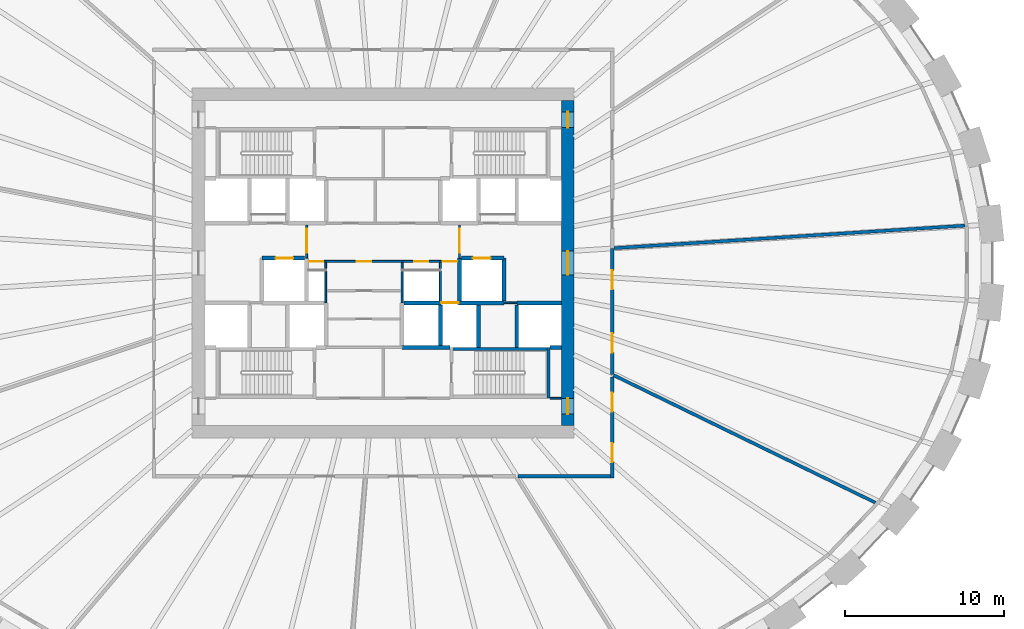
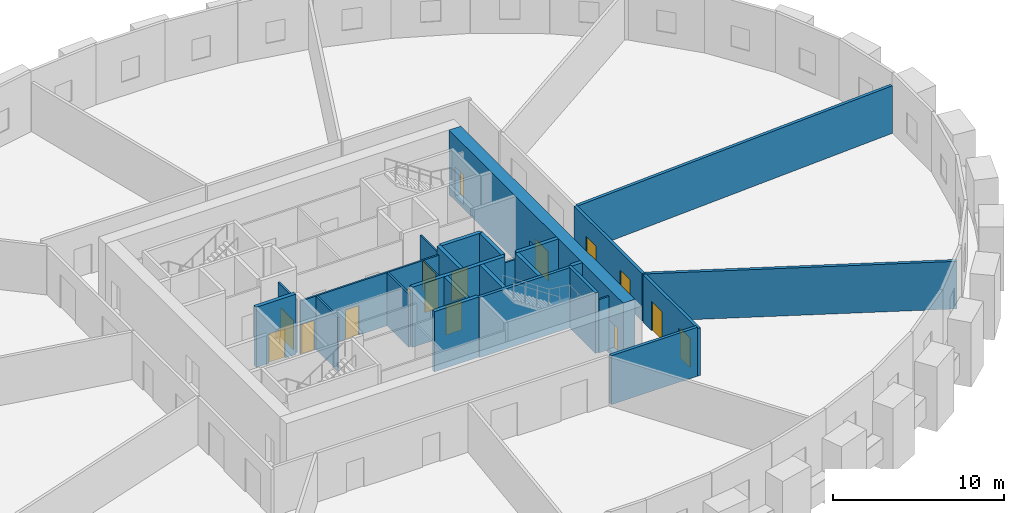
# One storey, part 5 of 9: 27 walls, 16 doors, 16 openings.
"""IFC4 building model written with IfcOpenShell, lengths in metres."""

from ifc_helpers import new_model, si_unit, direction, frame, frame_2d, origin, place, context, subcontext, project, spatial, rectangle, extrude, source, transform, mapped, material, layer, layer_set, type_object, element, fill, save


model = new_model("IFC4")

# Units and contexts
model_context = context("Model", 3, precision=1e-05, world=origin(), true_north=direction((0.0, 1.0)))
body_context = subcontext(model_context, "Body", "Model", "MODEL_VIEW")
ifc_project = project(units=[si_unit("LENGTHUNIT", "METRE"), si_unit("AREAUNIT", "SQUARE_METRE"), si_unit("VOLUMEUNIT", "CUBIC_METRE"), si_unit("PLANEANGLEUNIT", "RADIAN"), si_unit("MASSUNIT", "GRAM", prefix="KILO")], contexts=[model_context])

# Site, building, storey
site_placement = place(None, origin())
site = spatial("IfcSite", under=ifc_project, at=site_placement, CompositionType="ELEMENT")
building_placement = place(site_placement, origin())
building = spatial("IfcBuilding", under=site, at=building_placement, Name="Embergate Tower", CompositionType="ELEMENT")
storey_placement = place(building_placement, frame((0.0, 0.0, 147.60009765625)))
storey = spatial("IfcBuildingStorey", under=building, at=storey_placement, Name="L32", CompositionType="ELEMENT", Elevation=147.60009765625)

# Wall, openings, doors
ifc_material_1 = material(Name="Concrete C70", Category="concrete")
ifc_layer_1 = layer(ifc_material_1, 0.800048828125)
ifc_layer_set_1 = layer_set([ifc_layer_1], Name="Concrete C70")
wall_type_1 = type_object("IfcWallType", Name="Core outer wall C70 800", PredefinedType="SHEAR", material=ifc_layer_set_1)
shared_shape_1 = source(origin(), body_context, "Body", "SweptSolid", [
    extrude(rectangle(XDim=20.39990234375, YDim=0.800048828125, at=frame_2d((10.199951171875, 0.0))), origin(), (0.0, 0.0, 1.0), 4.599853515625),
])
wall_1_placement = place(storey_placement, frame((11.60009765625, -10.199951171875, -0.300048828125), z_axis=(0.0, 0.0, 1.0), x_axis=(0.0, 1.0, 0.0)))
wall_1 = element("IfcWall", 1, at=wall_1_placement, inside=storey, type_object=wall_type_1, Name="CW-L32-E", PredefinedType="SHEAR", context=body_context, shape_type="MappedRepresentation", body=[
    mapped(shared_shape_1, transform((0.0, 0.0, 0.0))),
])
shared_shape_2 = source(origin(), body_context, "Body", "SweptSolid", [
    extrude(rectangle(XDim=1.0, YDim=2.10009765625, at=frame_2d((0.5, 1.050048828125))), frame((0.0, 0.409912109375, 0.0), z_axis=(0.0, -1.0, 0.0), x_axis=(1.0, 0.0, 0.0)), (0.0, 0.0, 1.0), 0.820068359375),
])
opening_1_placement = place(wall_1_placement, frame((18.699951171875, 0.0, 0.300048828125)))
opening_1 = element("IfcOpeningElement", 2, at=opening_1_placement, cuts=wall_1, Name="Opening IF-1d", PredefinedType="OPENING", context=body_context, shape_type="MappedRepresentation", body=[
    mapped(shared_shape_2, transform((0.0, 0.0, 0.0))),
])
opening_2_placement = place(wall_1_placement, frame((0.699951171875, 0.0, 0.300048828125)))
opening_2 = element("IfcOpeningElement", 3, at=opening_2_placement, cuts=wall_1, Name="Opening IF-1d", PredefinedType="OPENING", context=body_context, shape_type="MappedRepresentation", body=[
    mapped(shared_shape_2, transform((0.0, 0.0, 0.0))),
])
shared_shape_3 = source(origin(), body_context, "Body", "SweptSolid", [
    extrude(rectangle(XDim=1.5, YDim=2.10009765625, at=frame_2d((0.75, 1.050048828125))), frame((0.0, 0.409912109375, 0.0), z_axis=(0.0, -1.0, 0.0), x_axis=(1.0, 0.0, 0.0)), (0.0, 0.0, 1.0), 0.820068359375),
])
opening_3_placement = place(wall_1_placement, frame((9.449951171875, 0.0, 0.300048828125)))
opening_3 = element("IfcOpeningElement", 4, at=opening_3_placement, cuts=wall_1, Name="Opening IF-3", PredefinedType="OPENING", context=body_context, shape_type="MappedRepresentation", body=[
    mapped(shared_shape_3, transform((0.0, 0.0, 0.0))),
])
ifc_material_2 = material(Name="Lobby fire door pair 1500")
door_type_1 = type_object("IfcDoorType", Name="Lobby fire door pair 1500", OperationType="DOUBLE_DOOR_SINGLE_SWING", PredefinedType="DOOR", material=ifc_material_2)
shared_shape_4 = source(origin(), body_context, "Body", "SweptSolid", [
    extrude(rectangle(XDim=1.5, YDim=2.10009765625, at=frame_2d((0.75, 1.050048828125))), frame((0.0, 0.02490234375, 0.0), z_axis=(0.0, -1.0, 0.0), x_axis=(1.0, 0.0, 0.0)), (0.0, 0.0, 1.0), 0.050048828125),
])
door_1_placement = place(opening_3_placement, origin())
door_1 = element("IfcDoor", 5, at=door_1_placement, inside=storey, type_object=door_type_1, Name="IF-3 door", OperationType="DOUBLE_DOOR_SINGLE_SWING", OverallHeight=2.10009765625, OverallWidth=1.5, PredefinedType="DOOR", context=body_context, shape_type="MappedRepresentation", body=[
    mapped(shared_shape_4, transform((0.0, 0.0, 0.0))),
])
fill(opening_3, door_1)
ifc_material_3 = material(Name="Escape fire door 1000")
door_type_2 = type_object("IfcDoorType", Name="Escape fire door 1000", OperationType="SINGLE_SWING_LEFT", PredefinedType="DOOR", material=ifc_material_3)
shared_shape_5 = source(origin(), body_context, "Body", "SweptSolid", [
    extrude(rectangle(XDim=1.0, YDim=2.10009765625, at=frame_2d((0.5, 1.050048828125))), frame((0.0, 0.02490234375, 0.0), z_axis=(0.0, -1.0, 0.0), x_axis=(1.0, 0.0, 0.0)), (0.0, 0.0, 1.0), 0.050048828125),
])
door_2_placement = place(opening_1_placement, origin())
door_2 = element("IfcDoor", 6, at=door_2_placement, inside=storey, type_object=door_type_2, Name="IF-1 door", OperationType="SINGLE_SWING_RIGHT", OverallHeight=2.10009765625, OverallWidth=1.0, PredefinedType="DOOR", context=body_context, shape_type="MappedRepresentation", body=[
    mapped(shared_shape_5, transform((0.0, 0.0, 0.0))),
])
fill(opening_1, door_2)
door_3_placement = place(opening_2_placement, origin())
door_3 = element("IfcDoor", 7, at=door_3_placement, inside=storey, type_object=door_type_2, Name="IF-1 door", OperationType="SINGLE_SWING_LEFT", OverallHeight=2.10009765625, OverallWidth=1.0, PredefinedType="DOOR", context=body_context, shape_type="MappedRepresentation", body=[
    mapped(shared_shape_5, transform((0.0, 0.0, 0.0))),
])
fill(opening_2, door_3)

# Wall
ifc_material_4 = material(Name="Concrete C50", Category="concrete")
ifc_layer_2 = layer(ifc_material_4, 0.25)
ifc_layer_set_2 = layer_set([ifc_layer_2], Name="Concrete C50")
wall_type_2 = type_object("IfcWallType", Name="Hoistway wall reinforced concrete 250", PredefinedType="SHEAR", material=ifc_layer_set_2)
shared_shape_6 = source(origin(), body_context, "Body", "SweptSolid", [
    extrude(rectangle(XDim=2.675048828125, YDim=0.25, at=frame_2d((1.33740234375, 0.0))), origin(), (0.0, 0.0, 1.0), 4.2998046875),
])
wall_2_placement = place(storey_placement, frame((4.800048828125, -2.375, 0.0), z_axis=(0.0, 0.0, 1.0), x_axis=(0.0, 1.0, 0.0)))
element("IfcWall", 8, at=wall_2_placement, inside=storey, type_object=wall_type_2, Name="HW-1 wall", PredefinedType="SHEAR", context=body_context, shape_type="MappedRepresentation", body=[
    mapped(shared_shape_6, transform((0.0, 0.0, 0.0))),
])

# Wall, opening, door
wall_3_placement = place(storey_placement, frame((-4.925048828125, 0.300048828125, 0.0), z_axis=(0.0, 0.0, 1.0), x_axis=(-1.0, 0.0, 0.0)))
wall_3 = element("IfcWall", 9, at=wall_3_placement, inside=storey, type_object=wall_type_2, Name="HW-1 wall", PredefinedType="SHEAR", context=body_context, shape_type="MappedRepresentation", body=[
    mapped(shared_shape_6, transform((0.0, 0.0, 0.0))),
])
shared_shape_7 = source(origin(), body_context, "Body", "SweptSolid", [
    extrude(rectangle(XDim=1.10009765625, YDim=2.10009765625, at=frame_2d((0.550048828125, 1.050048828125))), frame((0.0, 0.135009765625, 0.0), z_axis=(0.0, -1.0, 0.0), x_axis=(1.0, 0.0, 0.0)), (0.0, 0.0, 1.0), 0.27001953125),
])
opening_4_placement = place(wall_3_placement, frame((0.72509765625, 0.0, 0.0)))
opening_4 = element("IfcOpeningElement", 10, at=opening_4_placement, cuts=wall_3, Name="Opening LD", PredefinedType="OPENING", context=body_context, shape_type="MappedRepresentation", body=[
    mapped(shared_shape_7, transform((0.0, 0.0, 0.0))),
])
ifc_material_5 = material(Name="Landing door sliding 1100")
door_type_3 = type_object("IfcDoorType", Name="Landing door sliding 1100", OperationType="SLIDING_TO_LEFT", PredefinedType="DOOR", material=ifc_material_5)
shared_shape_8 = source(origin(), body_context, "Body", "SweptSolid", [
    extrude(rectangle(XDim=1.10009765625, YDim=2.10009765625, at=frame_2d((0.550048828125, 1.050048828125))), frame((0.0, 0.02490234375, 0.0), z_axis=(0.0, -1.0, 0.0), x_axis=(1.0, 0.0, 0.0)), (0.0, 0.0, 1.0), 0.050048828125),
])
door_4_placement = place(opening_4_placement, origin())
door_4 = element("IfcDoor", 11, at=door_4_placement, inside=storey, type_object=door_type_3, Name="LD door", OperationType="SLIDING_TO_LEFT", OverallHeight=2.10009765625, OverallWidth=1.10009765625, PredefinedType="DOOR", context=body_context, shape_type="MappedRepresentation", body=[
    mapped(shared_shape_8, transform((0.0, 0.0, 0.0))),
])
fill(opening_4, door_4)

wall_4_placement = place(storey_placement, frame((7.60009765625, 0.300048828125, 0.0), z_axis=(0.0, 0.0, 1.0), x_axis=(-1.0, 0.0, 0.0)))
wall_4 = element("IfcWall", 12, at=wall_4_placement, inside=storey, type_object=wall_type_2, Name="HW-1 wall", PredefinedType="SHEAR", context=body_context, shape_type="MappedRepresentation", body=[
    mapped(shared_shape_6, transform((0.0, 0.0, 0.0))),
])
opening_5_placement = place(wall_4_placement, frame((0.85009765625, 0.0, 0.0)))
opening_5 = element("IfcOpeningElement", 13, at=opening_5_placement, cuts=wall_4, Name="Opening LD", PredefinedType="OPENING", context=body_context, shape_type="MappedRepresentation", body=[
    mapped(shared_shape_7, transform((0.0, 0.0, 0.0))),
])
door_5_placement = place(opening_5_placement, origin())
door_5 = element("IfcDoor", 14, at=door_5_placement, inside=storey, type_object=door_type_3, Name="LD door", OperationType="SLIDING_TO_LEFT", OverallHeight=2.10009765625, OverallWidth=1.10009765625, PredefinedType="DOOR", context=body_context, shape_type="MappedRepresentation", body=[
    mapped(shared_shape_8, transform((0.0, 0.0, 0.0))),
])
fill(opening_5, door_5)

# Walls
wall_5_placement = place(storey_placement, frame((7.60009765625, -2.375, 0.0), z_axis=(0.0, 0.0, 1.0), x_axis=(0.0, 1.0, 0.0)))
element("IfcWall", 15, at=wall_5_placement, inside=storey, type_object=wall_type_2, Name="HW-1 wall", PredefinedType="SHEAR", context=body_context, shape_type="MappedRepresentation", body=[
    mapped(shared_shape_6, transform((0.0, 0.0, 0.0))),
])
ifc_layer_3 = layer(ifc_material_4, 0.199951171875)
ifc_layer_set_3 = layer_set([ifc_layer_3], Name="Concrete C50")
wall_type_3 = type_object("IfcWallType", Name="Stair enclosure wall reinforced concrete 250", PredefinedType="SHEAR", material=ifc_layer_set_3)
shared_shape_9 = source(origin(), body_context, "Body", "SweptSolid", [
    extrude(rectangle(XDim=6.300048828125, YDim=0.199951171875, at=frame_2d((3.14990234375, 0.0))), origin(), (0.0, 0.0, 1.0), 4.2998046875),
])
wall_6_placement = place(storey_placement, frame((4.199951171875, -5.39990234375, 0.0), z_axis=(0.0, 0.0, 1.0), x_axis=(1.0, 0.0, 0.0)))
element("IfcWall", 16, at=wall_6_placement, inside=storey, type_object=wall_type_3, Name="SE-1 wall", PredefinedType="SHEAR", context=body_context, shape_type="MappedRepresentation", body=[
    mapped(shared_shape_9, transform((0.0, 0.0, 0.0))),
])
shared_shape_10 = source(origin(), body_context, "Body", "SweptSolid", [
    extrude(rectangle(XDim=2.550048828125, YDim=0.25, at=frame_2d((1.27490234375, 0.0))), origin(), (0.0, 0.0, 1.0), 4.2998046875),
])
wall_7_placement = place(storey_placement, frame((3.60009765625, -5.175048828125, 0.0), z_axis=(0.0, 0.0, 1.0), x_axis=(0.0, 1.0, 0.0)))
element("IfcWall", 17, at=wall_7_placement, inside=storey, type_object=wall_type_2, Name="HW-1 wall", PredefinedType="SHEAR", context=body_context, shape_type="MappedRepresentation", body=[
    mapped(shared_shape_10, transform((0.0, 0.0, 0.0))),
])

# Wall, opening, door
ifc_material_6 = material(Name="Core partition blockwork 120")
ifc_layer_4 = layer(ifc_material_6, 0.1201171875)
ifc_layer_set_4 = layer_set([ifc_layer_4], Name="Core partition blockwork 120")
wall_type_4 = type_object("IfcWallType", Name="Core partition blockwork 120", PredefinedType="PARTITIONING", material=ifc_layer_set_4)
shared_shape_11 = source(origin(), body_context, "Body", "SweptSolid", [
    extrude(rectangle(XDim=2.074951171875, YDim=0.1201171875, at=frame_2d((1.03759765625, 0.0))), origin(), (0.0, 0.0, 1.0), 3.7998046875),
])
wall_8_placement = place(storey_placement, frame((-4.800048828125, 2.375, 0.0), z_axis=(0.0, 0.0, 1.0), x_axis=(0.0, -1.0, 0.0)))
wall_8 = element("IfcWall", 18, at=wall_8_placement, inside=storey, type_object=wall_type_4, Name="IP-3 wall", PredefinedType="PARTITIONING", context=body_context, shape_type="MappedRepresentation", body=[
    mapped(shared_shape_11, transform((0.0, 0.0, 0.0))),
])
shared_shape_12 = source(origin(), body_context, "Body", "SweptSolid", [
    extrude(rectangle(XDim=1.5, YDim=2.10009765625, at=frame_2d((0.75, 1.050048828125))), frame((0.0, 0.070068359375, 0.0), z_axis=(0.0, -1.0, 0.0), x_axis=(1.0, 0.0, 0.0)), (0.0, 0.0, 1.0), 0.14013671875),
])
opening_6_placement = place(wall_8_placement, frame((0.22509765625, 0.0, 0.0)))
opening_6 = element("IfcOpeningElement", 19, at=opening_6_placement, cuts=wall_8, Name="Opening IF-3", PredefinedType="OPENING", context=body_context, shape_type="MappedRepresentation", body=[
    mapped(shared_shape_12, transform((0.0, 0.0, 0.0))),
])
door_6_placement = place(opening_6_placement, origin())
door_6 = element("IfcDoor", 20, at=door_6_placement, inside=storey, type_object=door_type_1, Name="IF-3 door", OperationType="DOUBLE_DOOR_SINGLE_SWING", OverallHeight=2.10009765625, OverallWidth=1.5, PredefinedType="DOOR", context=body_context, shape_type="MappedRepresentation", body=[
    mapped(shared_shape_4, transform((0.0, 0.0, 0.0))),
])
fill(opening_6, door_6)

wall_9_placement = place(storey_placement, frame((4.800048828125, 0.300048828125, 0.0), z_axis=(0.0, 0.0, 1.0), x_axis=(0.0, 1.0, 0.0)))
wall_9 = element("IfcWall", 21, at=wall_9_placement, inside=storey, type_object=wall_type_4, Name="IP-3 wall", PredefinedType="PARTITIONING", context=body_context, shape_type="MappedRepresentation", body=[
    mapped(shared_shape_11, transform((0.0, 0.0, 0.0))),
])
opening_7_placement = place(wall_9_placement, frame((0.35009765625, 0.0, 0.0)))
opening_7 = element("IfcOpeningElement", 22, at=opening_7_placement, cuts=wall_9, Name="Opening IF-3", PredefinedType="OPENING", context=body_context, shape_type="MappedRepresentation", body=[
    mapped(shared_shape_12, transform((0.0, 0.0, 0.0))),
])
door_7_placement = place(opening_7_placement, origin())
door_7 = element("IfcDoor", 23, at=door_7_placement, inside=storey, type_object=door_type_1, Name="IF-3 door", OperationType="DOUBLE_DOOR_SINGLE_SWING", OverallHeight=2.10009765625, OverallWidth=1.5, PredefinedType="DOOR", context=body_context, shape_type="MappedRepresentation", body=[
    mapped(shared_shape_4, transform((0.0, 0.0, 0.0))),
])
fill(opening_7, door_7)

# Wall
shared_shape_13 = source(origin(), body_context, "Body", "SweptSolid", [
    extrude(rectangle(XDim=2.800048828125, YDim=0.25, at=frame_2d((1.39990234375, 0.0))), origin(), (0.0, 0.0, 1.0), 4.2998046875),
])
wall_10_placement = place(storey_placement, frame((11.199951171875, -2.5, 0.0), z_axis=(0.0, 0.0, 1.0), x_axis=(-1.0, 0.0, 0.0)))
element("IfcWall", 24, at=wall_10_placement, inside=storey, type_object=wall_type_2, Name="HW-1 wall", PredefinedType="SHEAR", context=body_context, shape_type="MappedRepresentation", body=[
    mapped(shared_shape_13, transform((0.0, 0.0, 0.0))),
])

# Wall, opening, door
shared_shape_14 = source(origin(), body_context, "Body", "SweptSolid", [
    extrude(rectangle(XDim=6.27294921875, YDim=0.25, at=frame_2d((3.136474609375, 0.0))), origin(), (0.0, 0.0, 1.0), 4.2998046875),
])
wall_11_placement = place(storey_placement, frame((7.597900390625, -2.5, 0.0), z_axis=(0.0, 0.0, 1.0), x_axis=(-1.0, 0.0, 0.0)))
wall_11 = element("IfcWall", 25, at=wall_11_placement, inside=storey, type_object=wall_type_2, Name="HW-1 wall", PredefinedType="SHEAR", context=body_context, shape_type="MappedRepresentation", body=[
    mapped(shared_shape_14, transform((0.0, 0.0, 0.0))),
])
opening_8_placement = place(wall_11_placement, frame((2.847900390625, 0.0, 0.0)))
opening_8 = element("IfcOpeningElement", 26, at=opening_8_placement, cuts=wall_11, Name="Opening LD", PredefinedType="OPENING", context=body_context, shape_type="MappedRepresentation", body=[
    mapped(shared_shape_7, transform((0.0, 0.0, 0.0))),
])
door_8_placement = place(opening_8_placement, origin())
door_8 = element("IfcDoor", 27, at=door_8_placement, inside=storey, type_object=door_type_3, Name="LD door", OperationType="SLIDING_TO_LEFT", OverallHeight=2.10009765625, OverallWidth=1.10009765625, PredefinedType="DOOR", context=body_context, shape_type="MappedRepresentation", body=[
    mapped(shared_shape_8, transform((0.0, 0.0, 0.0))),
])
fill(opening_8, door_8)

# Wall
shared_shape_15 = source(origin(), body_context, "Body", "SweptSolid", [
    extrude(rectangle(XDim=3.0, YDim=0.25, at=frame_2d((1.5, 0.0))), origin(), (0.0, 0.0, 1.0), 4.2998046875),
])
wall_12_placement = place(storey_placement, frame((1.199951171875, -5.300048828125, 0.0), z_axis=(0.0, 0.0, 1.0), x_axis=(1.0, 0.0, 0.0)))
element("IfcWall", 28, at=wall_12_placement, inside=storey, type_object=wall_type_2, Name="HW-1 wall", PredefinedType="SHEAR", context=body_context, shape_type="MappedRepresentation", body=[
    mapped(shared_shape_15, transform((0.0, 0.0, 0.0))),
])

# Wall, openings, doors
shared_shape_16 = source(origin(), body_context, "Body", "SweptSolid", [
    extrude(rectangle(XDim=9.35009765625, YDim=0.1201171875, at=frame_2d((4.675048828125, 0.0))), origin(), (0.0, 0.0, 1.0), 3.7998046875),
])
wall_13_placement = place(storey_placement, frame((-4.675048828125, 0.10009765625, 0.0), z_axis=(0.0, 0.0, 1.0), x_axis=(1.0, 0.0, 0.0)))
wall_13 = element("IfcWall", 29, at=wall_13_placement, inside=storey, type_object=wall_type_4, Name="IP-3 wall", PredefinedType="PARTITIONING", context=body_context, shape_type="MappedRepresentation", body=[
    mapped(shared_shape_16, transform((0.0, 0.0, 0.0))),
])
shared_shape_17 = source(origin(), body_context, "Body", "SweptSolid", [
    extrude(rectangle(XDim=0.89990234375, YDim=2.10009765625, at=frame_2d((0.449951171875, 1.050048828125))), frame((0.0, 0.070068359375, 0.0), z_axis=(0.0, -1.0, 0.0), x_axis=(1.0, 0.0, 0.0)), (0.0, 0.0, 1.0), 0.14013671875),
])
opening_9_placement = place(wall_13_placement, frame((8.425048828125, 0.0, 0.0)))
opening_9 = element("IfcOpeningElement", 30, at=opening_9_placement, cuts=wall_13, Name="Opening IF-3c", PredefinedType="OPENING", context=body_context, shape_type="MappedRepresentation", body=[
    mapped(shared_shape_17, transform((0.0, 0.0, 0.0))),
])
opening_10_placement = place(wall_13_placement, frame((0.02490234375, 0.0, 0.0)))
opening_10 = element("IfcOpeningElement", 31, at=opening_10_placement, cuts=wall_13, Name="Opening ID-1", PredefinedType="OPENING", context=body_context, shape_type="MappedRepresentation", body=[
    mapped(shared_shape_17, transform((0.0, 0.0, 0.0))),
])
opening_11_placement = place(wall_13_placement, frame((6.625, 0.0, 0.0)))
opening_11 = element("IfcOpeningElement", 32, at=opening_11_placement, cuts=wall_13, Name="Opening ID-1", PredefinedType="OPENING", context=body_context, shape_type="MappedRepresentation", body=[
    mapped(shared_shape_17, transform((0.0, 0.0, 0.0))),
])
opening_12_placement = place(wall_13_placement, frame((3.02490234375, 0.0, 0.0)))
opening_12 = element("IfcOpeningElement", 33, at=opening_12_placement, cuts=wall_13, Name="Opening ID-1", PredefinedType="OPENING", context=body_context, shape_type="MappedRepresentation", body=[
    mapped(shared_shape_17, transform((0.0, 0.0, 0.0))),
])
ifc_material_7 = material(Name="Lobby fire door pair 900")
door_type_4 = type_object("IfcDoorType", Name="Lobby fire door pair 900", OperationType="DOUBLE_DOOR_SINGLE_SWING", PredefinedType="DOOR", material=ifc_material_7)
shared_shape_18 = source(origin(), body_context, "Body", "SweptSolid", [
    extrude(rectangle(XDim=0.89990234375, YDim=2.10009765625, at=frame_2d((0.449951171875, 1.050048828125))), frame((0.0, 0.02490234375, 0.0), z_axis=(0.0, -1.0, 0.0), x_axis=(1.0, 0.0, 0.0)), (0.0, 0.0, 1.0), 0.050048828125),
])
door_9_placement = place(opening_9_placement, origin())
door_9 = element("IfcDoor", 34, at=door_9_placement, inside=storey, type_object=door_type_4, Name="IF-3 door", OperationType="DOUBLE_DOOR_SINGLE_SWING", OverallHeight=2.10009765625, OverallWidth=0.89990234375, PredefinedType="DOOR", context=body_context, shape_type="MappedRepresentation", body=[
    mapped(shared_shape_18, transform((0.0, 0.0, 0.0))),
])
fill(opening_9, door_9)
ifc_material_8 = material(Name="Interior door 900")
door_type_5 = type_object("IfcDoorType", Name="Interior door 900", OperationType="SINGLE_SWING_LEFT", PredefinedType="DOOR", material=ifc_material_8)
door_10_placement = place(opening_10_placement, origin())
door_10 = element("IfcDoor", 35, at=door_10_placement, inside=storey, type_object=door_type_5, Name="ID-1 door", OperationType="SINGLE_SWING_LEFT", OverallHeight=2.10009765625, OverallWidth=0.89990234375, PredefinedType="DOOR", context=body_context, shape_type="MappedRepresentation", body=[
    mapped(shared_shape_18, transform((0.0, 0.0, 0.0))),
])
fill(opening_10, door_10)
door_11_placement = place(opening_11_placement, origin())
door_11 = element("IfcDoor", 36, at=door_11_placement, inside=storey, type_object=door_type_5, Name="ID-1 door", OperationType="SINGLE_SWING_LEFT", OverallHeight=2.10009765625, OverallWidth=0.89990234375, PredefinedType="DOOR", context=body_context, shape_type="MappedRepresentation", body=[
    mapped(shared_shape_18, transform((0.0, 0.0, 0.0))),
])
fill(opening_11, door_11)
door_12_placement = place(opening_12_placement, origin())
door_12 = element("IfcDoor", 37, at=door_12_placement, inside=storey, type_object=door_type_5, Name="ID-1 door", OperationType="SINGLE_SWING_RIGHT", OverallHeight=2.10009765625, OverallWidth=0.89990234375, PredefinedType="DOOR", context=body_context, shape_type="MappedRepresentation", body=[
    mapped(shared_shape_18, transform((0.0, 0.0, 0.0))),
])
fill(opening_12, door_12)

# Walls
shared_shape_19 = source(origin(), body_context, "Body", "SweptSolid", [
    extrude(rectangle(XDim=2.5400390625, YDim=0.1201171875, at=frame_2d((1.27001953125, 0.0))), origin(), (0.0, 0.0, 1.0), 3.7998046875),
])
for number, where, z_axis, x_axis, name in (
    (38, (-3.60009765625, -2.5, 0.0), (0.0, 0.0, 1.0), (0.0, 1.0, 0.0), "IP-3 wall"),
    (39, (1.199951171875, 0.0400390625, 0.0), (0.0, 0.0, 1.0), (0.0, -1.0, 0.0), "IP-3 wall"),
):
    element("IfcWall", number, at=place(storey_placement, frame(where, z_axis=z_axis, x_axis=x_axis)), inside=storey, type_object=wall_type_4, Name=name, PredefinedType="PARTITIONING", context=body_context, shape_type="MappedRepresentation", body=[
        mapped(shared_shape_19, transform((0.0, 0.0, 0.0))),
    ])
shared_shape_20 = source(origin(), body_context, "Body", "SweptSolid", [
    extrude(rectangle(XDim=2.4150390625, YDim=0.1201171875, at=frame_2d((1.20751953125, 0.0))), origin(), (0.0, 0.0, 1.0), 3.7998046875),
])
wall_14_placement = place(storey_placement, frame((3.60009765625, -2.375, 0.0), z_axis=(0.0, 0.0, 1.0), x_axis=(0.0, 1.0, 0.0)))
element("IfcWall", 40, at=wall_14_placement, inside=storey, type_object=wall_type_4, Name="IP-3 wall", PredefinedType="PARTITIONING", context=body_context, shape_type="MappedRepresentation", body=[
    mapped(shared_shape_20, transform((0.0, 0.0, 0.0))),
])
shared_shape_21 = source(origin(), body_context, "Body", "SweptSolid", [
    extrude(rectangle(XDim=3.196044921875, YDim=0.199951171875, at=frame_2d((1.59814453125, 0.0))), origin(), (0.0, 0.0, 1.0), 4.2998046875),
])
wall_15_placement = place(storey_placement, frame((10.39990234375, -8.498046875, 0.0), z_axis=(0.0, 0.0, 1.0), x_axis=(0.0, 1.0, 0.0)))
element("IfcWall", 41, at=wall_15_placement, inside=storey, type_object=wall_type_3, Name="SE-1 wall", PredefinedType="SHEAR", context=body_context, shape_type="MappedRepresentation", body=[
    mapped(shared_shape_21, transform((0.0, 0.0, 0.0))),
])
shared_shape_22 = source(origin(), body_context, "Body", "SweptSolid", [
    extrude(rectangle(XDim=0.697998046875, YDim=0.25, at=frame_2d((0.34912109375, 0.0))), origin(), (0.0, 0.0, 1.0), 4.2998046875),
])
wall_16_placement = place(storey_placement, frame((10.501953125, -5.300048828125, 0.0), z_axis=(0.0, 0.0, 1.0), x_axis=(1.0, 0.0, 0.0)))
element("IfcWall", 42, at=wall_16_placement, inside=storey, type_object=wall_type_2, Name="HW-1 wall", PredefinedType="SHEAR", context=body_context, shape_type="MappedRepresentation", body=[
    mapped(shared_shape_22, transform((0.0, 0.0, 0.0))),
])
shared_shape_23 = source(origin(), body_context, "Body", "SweptSolid", [
    extrude(rectangle(XDim=2.671142578125, YDim=0.25, at=frame_2d((1.33544921875, 0.0))), origin(), (0.0, 0.0, 1.0), 4.2998046875),
])
for number, where, z_axis, x_axis, name in (
    (43, (6.0, -5.298095703125, 0.0), (0.0, 0.0, 1.0), (0.0, 1.0, 0.0), "HW-1 wall"),
    (44, (8.39990234375, -2.626953125, 0.0), (0.0, 0.0, 1.0), (0.0, -1.0, 0.0), "HW-1 wall"),
):
    element("IfcWall", number, at=place(storey_placement, frame(where, z_axis=z_axis, x_axis=x_axis)), inside=storey, type_object=wall_type_2, Name=name, PredefinedType="SHEAR", context=body_context, shape_type="MappedRepresentation", body=[
        mapped(shared_shape_23, transform((0.0, 0.0, 0.0))),
    ])
shared_shape_24 = source(origin(), body_context, "Body", "SweptSolid", [
    extrude(rectangle(XDim=0.7958984375, YDim=0.1201171875, at=frame_2d((0.39794921875, 0.0))), origin(), (0.0, 0.0, 1.0), 3.7998046875),
])
wall_17_placement = place(storey_placement, frame((7.60205078125, -2.5, 0.0), z_axis=(0.0, 0.0, 1.0), x_axis=(1.0, 0.0, 0.0)))
element("IfcWall", 45, at=wall_17_placement, inside=storey, type_object=wall_type_4, Name="IP-3 wall", PredefinedType="PARTITIONING", context=body_context, shape_type="MappedRepresentation", body=[
    mapped(shared_shape_24, transform((0.0, 0.0, 0.0))),
])
shared_shape_25 = source(origin(), body_context, "Body", "SweptSolid", [
    extrude(rectangle(XDim=0.697998046875, YDim=0.1201171875, at=frame_2d((0.34912109375, 0.0))), origin(), (0.0, 0.0, 1.0), 3.7998046875),
])
wall_18_placement = place(storey_placement, frame((11.199951171875, -8.5, 0.0), z_axis=(0.0, 0.0, 1.0), x_axis=(-1.0, 0.0, 0.0)))
element("IfcWall", 46, at=wall_18_placement, inside=storey, type_object=wall_type_4, Name="IP-3 wall", PredefinedType="PARTITIONING", context=body_context, shape_type="MappedRepresentation", body=[
    mapped(shared_shape_25, transform((0.0, 0.0, 0.0))),
])
ifc_material_9 = material(Name="Blockwork, plastered", Category="masonry")
ifc_layer_5 = layer(ifc_material_9, 0.199951171875)
ifc_layer_set_5 = layer_set([ifc_layer_5], Name="Blockwork, plastered")
wall_type_5 = type_object("IfcWallType", Name="Fire partition wall 200 block", PredefinedType="PARTITIONING", material=ifc_layer_set_5)
shared_shape_26 = source(origin(), body_context, "Body", "SweptSolid", [
    extrude(rectangle(XDim=5.81103515625, YDim=0.199951171875, at=frame_2d((2.905517578125, 0.0))), origin(), (0.0, 0.0, 1.0), 3.5),
])
wall_19_placement = place(storey_placement, frame((14.300048828125, -13.39990234375, 0.0), z_axis=(0.0, 0.0, 1.0), x_axis=(-1.0, 0.0, 0.0)))
element("IfcWall", 47, at=wall_19_placement, inside=storey, type_object=wall_type_5, Name="Partition 018", PredefinedType="PARTITIONING", context=body_context, shape_type="MappedRepresentation", body=[
    mapped(shared_shape_26, transform((0.0, 0.0, 0.0))),
])

# Wall, openings, doors
shared_shape_27 = source(origin(), body_context, "Body", "SweptSolid", [
    extrude(rectangle(XDim=6.35009765625, YDim=0.199951171875, at=frame_2d((3.175048828125, 0.0))), origin(), (0.0, 0.0, 1.0), 3.39990234375),
])
wall_20_placement = place(storey_placement, frame((14.39990234375, -7.14990234375, 0.0), z_axis=(0.0, 0.0, 1.0), x_axis=(0.0, -1.0, 0.0)))
wall_20 = element("IfcWall", 48, at=wall_20_placement, inside=storey, type_object=wall_type_5, Name="Partition 019", PredefinedType="PARTITIONING", context=body_context, shape_type="MappedRepresentation", body=[
    mapped(shared_shape_27, transform((0.0, 0.0, 0.0))),
])
shared_shape_28 = source(origin(), body_context, "Body", "SweptSolid", [
    extrude(rectangle(XDim=1.199951171875, YDim=2.10009765625, at=frame_2d((0.60009765625, 1.050048828125))), frame((0.0, 0.10986328125, 0.0), z_axis=(0.0, -1.0, 0.0), x_axis=(1.0, 0.0, 0.0)), (0.0, 0.0, 1.0), 0.219970703125),
])
opening_13_placement = place(wall_20_placement, frame((0.988037109375, 0.0, 0.0)))
opening_13 = element("IfcOpeningElement", 49, at=opening_13_placement, cuts=wall_20, Name="Opening DS-195", PredefinedType="OPENING", context=body_context, shape_type="MappedRepresentation", body=[
    mapped(shared_shape_28, transform((0.0, 0.0, 0.0))),
])
opening_14_placement = place(wall_20_placement, frame((4.1630859375, 0.0, 0.0)))
opening_14 = element("IfcOpeningElement", 50, at=opening_14_placement, cuts=wall_20, Name="Opening DS-196", PredefinedType="OPENING", context=body_context, shape_type="MappedRepresentation", body=[
    mapped(shared_shape_28, transform((0.0, 0.0, 0.0))),
])
ifc_material_10 = material(Name="Timber door leaf, steel frame", Category="steel")
door_type_6 = type_object("IfcDoorType", Name="Plant door 1200x2100", OperationType="SINGLE_SWING_LEFT", PredefinedType="DOOR", material=ifc_material_10)
shared_shape_29 = source(origin(), body_context, "Body", "SweptSolid", [
    extrude(rectangle(XDim=1.199951171875, YDim=2.10009765625, at=frame_2d((0.60009765625, 1.050048828125))), frame((0.0, 0.02490234375, 0.0), z_axis=(0.0, -1.0, 0.0), x_axis=(1.0, 0.0, 0.0)), (0.0, 0.0, 1.0), 0.050048828125),
])
door_13_placement = place(opening_13_placement, origin())
door_13 = element("IfcDoor", 51, at=door_13_placement, inside=storey, type_object=door_type_6, Name="Door to Water tank room", OperationType="SINGLE_SWING_LEFT", OverallHeight=2.10009765625, OverallWidth=1.199951171875, PredefinedType="DOOR", context=body_context, shape_type="MappedRepresentation", body=[
    mapped(shared_shape_29, transform((0.0, 0.0, 0.0))),
])
fill(opening_13, door_13)
door_14_placement = place(opening_14_placement, origin())
door_14 = element("IfcDoor", 52, at=door_14_placement, inside=storey, type_object=door_type_6, Name="Door to Water tank room", OperationType="SINGLE_SWING_LEFT", OverallHeight=2.10009765625, OverallWidth=1.199951171875, PredefinedType="DOOR", context=body_context, shape_type="MappedRepresentation", body=[
    mapped(shared_shape_29, transform((0.0, 0.0, 0.0))),
])
fill(opening_14, door_14)

# Wall
shared_shape_30 = source(origin(), body_context, "Body", "SweptSolid", [
    extrude(rectangle(XDim=18.287841796875, YDim=0.199951171875, at=frame_2d((9.14404296875, 0.0))), origin(), (0.0, 0.0, 1.0), 3.39990234375),
])
wall_21_placement = place(storey_placement, frame((14.489990234375, -7.053955078125, 0.0), z_axis=(0.0, 0.0, 1.0), x_axis=(0.899131875704, -0.437677815399, 0.0)))
element("IfcWall", 53, at=wall_21_placement, inside=storey, type_object=wall_type_5, Name="Partition 020", PredefinedType="PARTITIONING", context=body_context, shape_type="MappedRepresentation", body=[
    mapped(shared_shape_30, transform((0.0, 0.0, 0.0))),
])

# Wall, openings, doors
shared_shape_31 = source(origin(), body_context, "Body", "SweptSolid", [
    extrude(rectangle(XDim=7.93603515625, YDim=0.199951171875, at=frame_2d((3.968017578125, 0.0))), origin(), (0.0, 0.0, 1.0), 3.39990234375),
])
wall_22_placement = place(storey_placement, frame((14.39990234375, 0.926025390625, 0.0), z_axis=(0.0, 0.0, 1.0), x_axis=(0.0, -1.0, 0.0)))
wall_22 = element("IfcWall", 54, at=wall_22_placement, inside=storey, type_object=wall_type_5, Name="Partition 021", PredefinedType="PARTITIONING", context=body_context, shape_type="MappedRepresentation", body=[
    mapped(shared_shape_31, transform((0.0, 0.0, 0.0))),
])
opening_15_placement = place(wall_22_placement, frame((1.384033203125, 0.0, 0.0)))
opening_15 = element("IfcOpeningElement", 55, at=opening_15_placement, cuts=wall_22, Name="Opening DS-197", PredefinedType="OPENING", context=body_context, shape_type="MappedRepresentation", body=[
    mapped(shared_shape_28, transform((0.0, 0.0, 0.0))),
])
opening_16_placement = place(wall_22_placement, frame((5.35205078125, 0.0, 0.0)))
opening_16 = element("IfcOpeningElement", 56, at=opening_16_placement, cuts=wall_22, Name="Opening DS-198", PredefinedType="OPENING", context=body_context, shape_type="MappedRepresentation", body=[
    mapped(shared_shape_28, transform((0.0, 0.0, 0.0))),
])
door_15_placement = place(opening_15_placement, origin())
door_15 = element("IfcDoor", 57, at=door_15_placement, inside=storey, type_object=door_type_6, Name="Door to Pump plant room", OperationType="SINGLE_SWING_LEFT", OverallHeight=2.10009765625, OverallWidth=1.199951171875, PredefinedType="DOOR", context=body_context, shape_type="MappedRepresentation", body=[
    mapped(shared_shape_29, transform((0.0, 0.0, 0.0))),
])
fill(opening_15, door_15)
door_16_placement = place(opening_16_placement, origin())
door_16 = element("IfcDoor", 58, at=door_16_placement, inside=storey, type_object=door_type_6, Name="Door to Pump plant room", OperationType="SINGLE_SWING_LEFT", OverallHeight=2.10009765625, OverallWidth=1.199951171875, PredefinedType="DOOR", context=body_context, shape_type="MappedRepresentation", body=[
    mapped(shared_shape_29, transform((0.0, 0.0, 0.0))),
])
fill(opening_16, door_16)

# Wall
shared_shape_32 = source(origin(), body_context, "Body", "SweptSolid", [
    extrude(rectangle(XDim=22.104736328125, YDim=0.199951171875, at=frame_2d((11.05224609375, 0.0))), origin(), (0.0, 0.0, 1.0), 3.39990234375),
])
wall_23_placement = place(storey_placement, frame((36.55908203125, 2.35205078125, 0.0), z_axis=(0.0, 0.0, 1.0), x_axis=(-0.99793402113, -0.064247096984, 0.0)))
element("IfcWall", 59, at=wall_23_placement, inside=storey, type_object=wall_type_5, Name="Partition 025", PredefinedType="PARTITIONING", context=body_context, shape_type="MappedRepresentation", body=[
    mapped(shared_shape_32, transform((0.0, 0.0, 0.0))),
])

save(model, "model.ifc")
